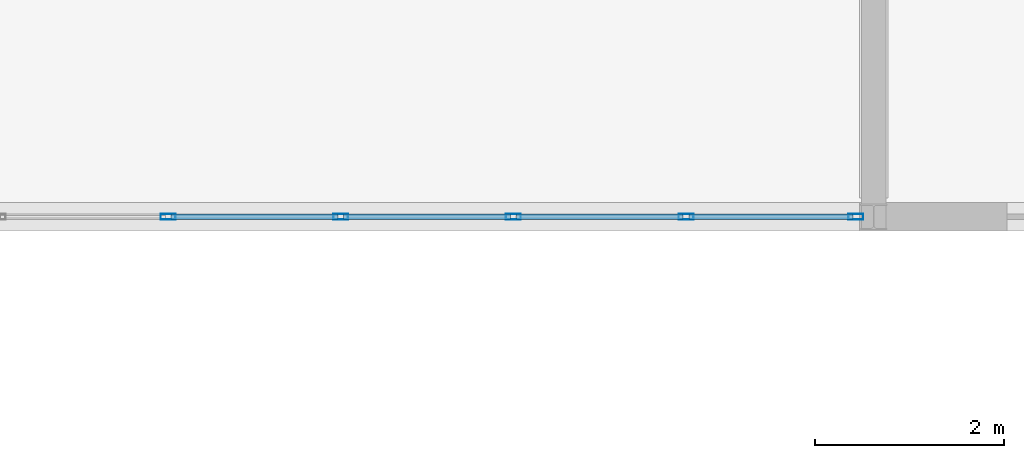
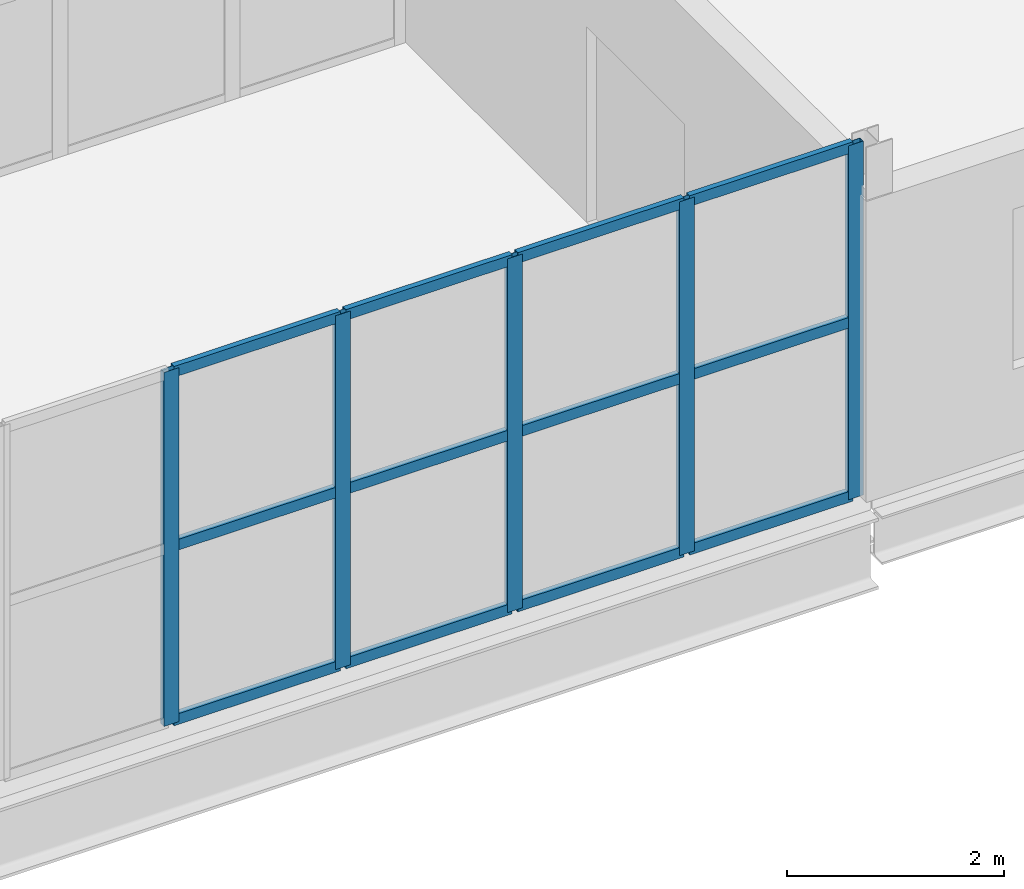
# One storey, part 65 of 138: 17 members, 1 element without a shape of its own.
"""IFC4 building model written with IfcOpenShell, lengths in metres."""

from ifc_helpers import new_model, si_unit, direction, frame, origin, origin_2d, place, context, subcontext, project, spatial, hollow_rectangle, extrude, material, layer, layer_set, material_profile, profile_set, type_object, element, aggregate, save


model = new_model("IFC4")

# Units and contexts
model_context = context("Model", 3, precision=1e-05, world=origin(), true_north=direction((0.0, 1.0)))
body_context = subcontext(model_context, "Body", "Model", "MODEL_VIEW")
ifc_project = project(units=[si_unit("LENGTHUNIT", "METRE"), si_unit("AREAUNIT", "SQUARE_METRE"), si_unit("VOLUMEUNIT", "CUBIC_METRE"), si_unit("PLANEANGLEUNIT", "RADIAN"), si_unit("MASSUNIT", "GRAM", prefix="KILO")], contexts=[model_context])

# Site, building, storey
site_placement = place(None, origin())
site = spatial("IfcSite", under=ifc_project, at=site_placement, CompositionType="ELEMENT")
building_placement = place(site_placement, origin())
building = spatial("IfcBuilding", under=site, at=building_placement, Name="Vinh Khe Railworks Police Headquarters", CompositionType="ELEMENT")
storey_placement = place(building_placement, frame((0.0, 0.0, 9.0)))
storey = spatial("IfcBuildingStorey", under=building, at=storey_placement, Name="L02", CompositionType="ELEMENT", Elevation=9.0)

# Curtain wall, members
ifc_material_1 = material(Name="Anodised aluminium and solar-control glass", Category="aluminium")
ifc_layer = layer(ifc_material_1, 0.159912109375)
ifc_layer_set = layer_set([ifc_layer], Name="Anodised aluminium and solar-control glass")
curtain_wall_type = type_object("IfcCurtainWallType", Name="CW-SHOPFRONT", PredefinedType="USERDEFINED", material=ifc_layer_set)
curtain_wall_placement = place(storey_placement, origin())
curtain_wall = element("IfcCurtainWall", 1, at=curtain_wall_placement, inside=storey, type_object=curtain_wall_type, Name="Link Bridge South Glazing L02 Bay 6", ObjectType="UNITISED GLAZING", PredefinedType="USERDEFINED")
ifc_material_2 = material(Name="Anodised aluminium 6063-T6", Category="aluminium")
ifc_material_profile_1 = material_profile(ifc_material_2, hollow_rectangle(XDim=0.06005859375, YDim=0.159912109375, WallThickness=0.00390625, at=origin_2d()), Name="CW-M 60x160x4")
ifc_profile_set_1 = profile_set([ifc_material_profile_1], Name="Anodised aluminium 6063-T6")
member_type_1 = type_object("IfcMemberType", Name="MULL-CWM-01", PredefinedType="MULLION", material=ifc_profile_set_1)
member_1_placement = place(storey_placement, frame((70.528076171875, 96.0, 0.0), z_axis=(0.0, 0.0, 1.0), x_axis=(0.0, 1.0, 0.0)))
member_1 = element("IfcMember", 2, at=member_1_placement, type_object=member_type_1, Name="CW-03 mullion 2", PredefinedType="MULLION", context=body_context, shape_type="SweptSolid", body=[
    extrude(hollow_rectangle(XDim=0.06005859375, YDim=0.159912109375, WallThickness=0.00390625, at=origin_2d()), origin(), (0.0, 0.0, 1.0), 3.97998046875),
])
member_2_placement = place(storey_placement, frame((72.35595703125, 96.0, 0.0), z_axis=(0.0, 0.0, 1.0), x_axis=(0.0, 1.0, 0.0)))
member_2 = element("IfcMember", 3, at=member_2_placement, type_object=member_type_1, Name="CW-03 mullion 3", PredefinedType="MULLION", context=body_context, shape_type="SweptSolid", body=[
    extrude(hollow_rectangle(XDim=0.06005859375, YDim=0.159912109375, WallThickness=0.00390625, at=origin_2d()), origin(), (0.0, 0.0, 1.0), 3.97998046875),
])
member_3_placement = place(storey_placement, frame((74.18408203125, 96.0, 0.0), z_axis=(0.0, 0.0, 1.0), x_axis=(0.0, 1.0, 0.0)))
member_3 = element("IfcMember", 4, at=member_3_placement, type_object=member_type_1, Name="CW-03 mullion 4", PredefinedType="MULLION", context=body_context, shape_type="SweptSolid", body=[
    extrude(hollow_rectangle(XDim=0.06005859375, YDim=0.159912109375, WallThickness=0.00390625, at=origin_2d()), origin(), (0.0, 0.0, 1.0), 3.97998046875),
])
member_4_placement = place(storey_placement, frame((76.011962890625, 96.0, 0.0), z_axis=(0.0, 0.0, 1.0), x_axis=(0.0, 1.0, 0.0)))
member_4 = element("IfcMember", 5, at=member_4_placement, type_object=member_type_1, Name="CW-03 mullion 5", PredefinedType="MULLION", context=body_context, shape_type="SweptSolid", body=[
    extrude(hollow_rectangle(XDim=0.06005859375, YDim=0.159912109375, WallThickness=0.00390625, at=origin_2d()), origin(), (0.0, 0.0, 1.0), 3.97998046875),
])
member_5_placement = place(storey_placement, frame((77.81005859375, 96.0, 0.0), z_axis=(0.0, 0.0, 1.0), x_axis=(0.0, 1.0, 0.0)))
member_5 = element("IfcMember", 6, at=member_5_placement, type_object=member_type_1, Name="CW-03 mullion 6", PredefinedType="MULLION", context=body_context, shape_type="SweptSolid", body=[
    extrude(hollow_rectangle(XDim=0.06005859375, YDim=0.159912109375, WallThickness=0.00390625, at=origin_2d()), origin(), (0.0, 0.0, 1.0), 3.97998046875),
])
ifc_material_profile_2 = material_profile(ifc_material_2, hollow_rectangle(XDim=0.06005859375, YDim=0.1201171875, WallThickness=0.00390625, at=origin_2d()), Name="CW-T 60x120x4")
ifc_profile_set_2 = profile_set([ifc_material_profile_2], Name="Anodised aluminium 6063-T6")
member_type_2 = type_object("IfcMemberType", Name="TRAN-CWT-01", PredefinedType="USERDEFINED", material=ifc_profile_set_2)
member_6_placement = place(storey_placement, frame((70.55810546875, 96.0, 0.030029296875), z_axis=(1.0, 0.0, 0.0), x_axis=(0.0, 1.0, 0.0)))
member_6 = element("IfcMember", 7, at=member_6_placement, type_object=member_type_2, Name="CW-03 transom 2.1", ObjectType="TRANSOM", PredefinedType="USERDEFINED", context=body_context, shape_type="SweptSolid", body=[
    extrude(hollow_rectangle(XDim=0.06005859375, YDim=0.1201171875, WallThickness=0.00390625, at=origin_2d()), origin(), (0.0, 0.0, 1.0), 1.767822265625),
])
member_7_placement = place(storey_placement, frame((70.55810546875, 96.0, 1.989990234375), z_axis=(1.0, 0.0, 0.0), x_axis=(0.0, 1.0, 0.0)))
member_7 = element("IfcMember", 8, at=member_7_placement, type_object=member_type_2, Name="CW-03 transom 2.2", ObjectType="TRANSOM", PredefinedType="USERDEFINED", context=body_context, shape_type="SweptSolid", body=[
    extrude(hollow_rectangle(XDim=0.06005859375, YDim=0.1201171875, WallThickness=0.00390625, at=origin_2d()), origin(), (0.0, 0.0, 1.0), 1.767822265625),
])
member_8_placement = place(storey_placement, frame((70.55810546875, 96.0, 3.949951171875), z_axis=(1.0, 0.0, 0.0), x_axis=(0.0, 1.0, 0.0)))
member_8 = element("IfcMember", 9, at=member_8_placement, type_object=member_type_2, Name="CW-03 transom 2.3", ObjectType="TRANSOM", PredefinedType="USERDEFINED", context=body_context, shape_type="SweptSolid", body=[
    extrude(hollow_rectangle(XDim=0.06005859375, YDim=0.1201171875, WallThickness=0.00390625, at=origin_2d()), origin(), (0.0, 0.0, 1.0), 1.767822265625),
])
member_9_placement = place(storey_placement, frame((72.385986328125, 96.0, 0.030029296875), z_axis=(1.0, 0.0, 0.0), x_axis=(0.0, 1.0, 0.0)))
member_9 = element("IfcMember", 10, at=member_9_placement, type_object=member_type_2, Name="CW-03 transom 3.1", ObjectType="TRANSOM", PredefinedType="USERDEFINED", context=body_context, shape_type="SweptSolid", body=[
    extrude(hollow_rectangle(XDim=0.06005859375, YDim=0.1201171875, WallThickness=0.00390625, at=origin_2d()), origin(), (0.0, 0.0, 1.0), 1.76806640625),
])
member_10_placement = place(storey_placement, frame((72.385986328125, 96.0, 1.989990234375), z_axis=(1.0, 0.0, 0.0), x_axis=(0.0, 1.0, 0.0)))
member_10 = element("IfcMember", 11, at=member_10_placement, type_object=member_type_2, Name="CW-03 transom 3.2", ObjectType="TRANSOM", PredefinedType="USERDEFINED", context=body_context, shape_type="SweptSolid", body=[
    extrude(hollow_rectangle(XDim=0.06005859375, YDim=0.1201171875, WallThickness=0.00390625, at=origin_2d()), origin(), (0.0, 0.0, 1.0), 1.76806640625),
])
member_11_placement = place(storey_placement, frame((72.385986328125, 96.0, 3.949951171875), z_axis=(1.0, 0.0, 0.0), x_axis=(0.0, 1.0, 0.0)))
member_11 = element("IfcMember", 12, at=member_11_placement, type_object=member_type_2, Name="CW-03 transom 3.3", ObjectType="TRANSOM", PredefinedType="USERDEFINED", context=body_context, shape_type="SweptSolid", body=[
    extrude(hollow_rectangle(XDim=0.06005859375, YDim=0.1201171875, WallThickness=0.00390625, at=origin_2d()), origin(), (0.0, 0.0, 1.0), 1.76806640625),
])
member_12_placement = place(storey_placement, frame((74.214111328125, 96.0, 0.030029296875), z_axis=(1.0, 0.0, 0.0), x_axis=(0.0, 1.0, 0.0)))
member_12 = element("IfcMember", 13, at=member_12_placement, type_object=member_type_2, Name="CW-03 transom 4.1", ObjectType="TRANSOM", PredefinedType="USERDEFINED", context=body_context, shape_type="SweptSolid", body=[
    extrude(hollow_rectangle(XDim=0.06005859375, YDim=0.1201171875, WallThickness=0.00390625, at=origin_2d()), origin(), (0.0, 0.0, 1.0), 1.767822265625),
])
member_13_placement = place(storey_placement, frame((74.214111328125, 96.0, 1.989990234375), z_axis=(1.0, 0.0, 0.0), x_axis=(0.0, 1.0, 0.0)))
member_13 = element("IfcMember", 14, at=member_13_placement, type_object=member_type_2, Name="CW-03 transom 4.2", ObjectType="TRANSOM", PredefinedType="USERDEFINED", context=body_context, shape_type="SweptSolid", body=[
    extrude(hollow_rectangle(XDim=0.06005859375, YDim=0.1201171875, WallThickness=0.00390625, at=origin_2d()), origin(), (0.0, 0.0, 1.0), 1.767822265625),
])
member_14_placement = place(storey_placement, frame((74.214111328125, 96.0, 3.949951171875), z_axis=(1.0, 0.0, 0.0), x_axis=(0.0, 1.0, 0.0)))
member_14 = element("IfcMember", 15, at=member_14_placement, type_object=member_type_2, Name="CW-03 transom 4.3", ObjectType="TRANSOM", PredefinedType="USERDEFINED", context=body_context, shape_type="SweptSolid", body=[
    extrude(hollow_rectangle(XDim=0.06005859375, YDim=0.1201171875, WallThickness=0.00390625, at=origin_2d()), origin(), (0.0, 0.0, 1.0), 1.767822265625),
])
member_15_placement = place(storey_placement, frame((76.0419921875, 96.0, 0.030029296875), z_axis=(1.0, 0.0, 0.0), x_axis=(0.0, 1.0, 0.0)))
member_15 = element("IfcMember", 16, at=member_15_placement, type_object=member_type_2, Name="CW-03 transom 5.1", ObjectType="TRANSOM", PredefinedType="USERDEFINED", context=body_context, shape_type="SweptSolid", body=[
    extrude(hollow_rectangle(XDim=0.06005859375, YDim=0.1201171875, WallThickness=0.00390625, at=origin_2d()), origin(), (0.0, 0.0, 1.0), 1.738037109375),
])
member_16_placement = place(storey_placement, frame((76.0419921875, 96.0, 1.989990234375), z_axis=(1.0, 0.0, 0.0), x_axis=(0.0, 1.0, 0.0)))
member_16 = element("IfcMember", 17, at=member_16_placement, type_object=member_type_2, Name="CW-03 transom 5.2", ObjectType="TRANSOM", PredefinedType="USERDEFINED", context=body_context, shape_type="SweptSolid", body=[
    extrude(hollow_rectangle(XDim=0.06005859375, YDim=0.1201171875, WallThickness=0.00390625, at=origin_2d()), origin(), (0.0, 0.0, 1.0), 1.738037109375),
])
member_17_placement = place(storey_placement, frame((76.0419921875, 96.0, 3.949951171875), z_axis=(1.0, 0.0, 0.0), x_axis=(0.0, 1.0, 0.0)))
member_17 = element("IfcMember", 18, at=member_17_placement, type_object=member_type_2, Name="CW-03 transom 5.3", ObjectType="TRANSOM", PredefinedType="USERDEFINED", context=body_context, shape_type="SweptSolid", body=[
    extrude(hollow_rectangle(XDim=0.06005859375, YDim=0.1201171875, WallThickness=0.00390625, at=origin_2d()), origin(), (0.0, 0.0, 1.0), 1.738037109375),
])
aggregate(curtain_wall, [member_1, member_2, member_3, member_4, member_5, member_6, member_7, member_8, member_9, member_10, member_11, member_12, member_13, member_14, member_15, member_16, member_17])

save(model, "model.ifc")
